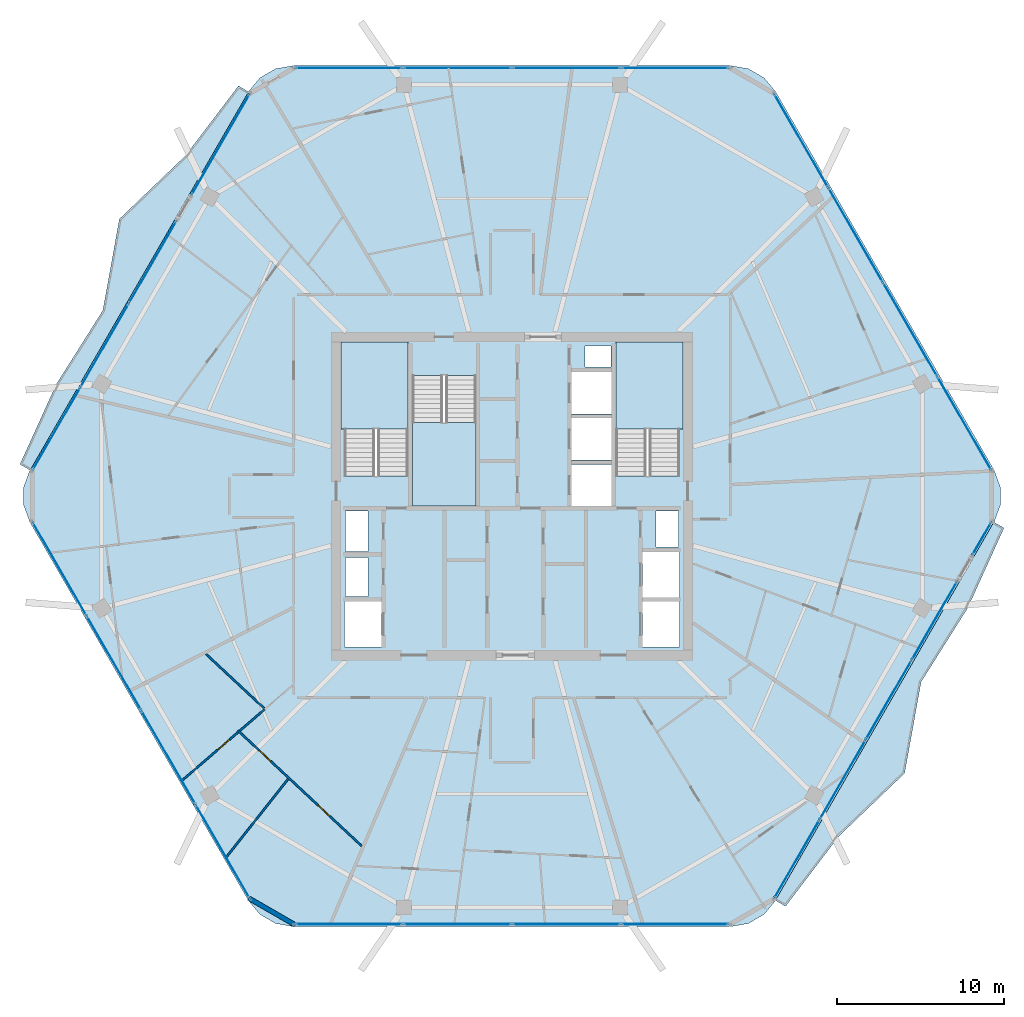
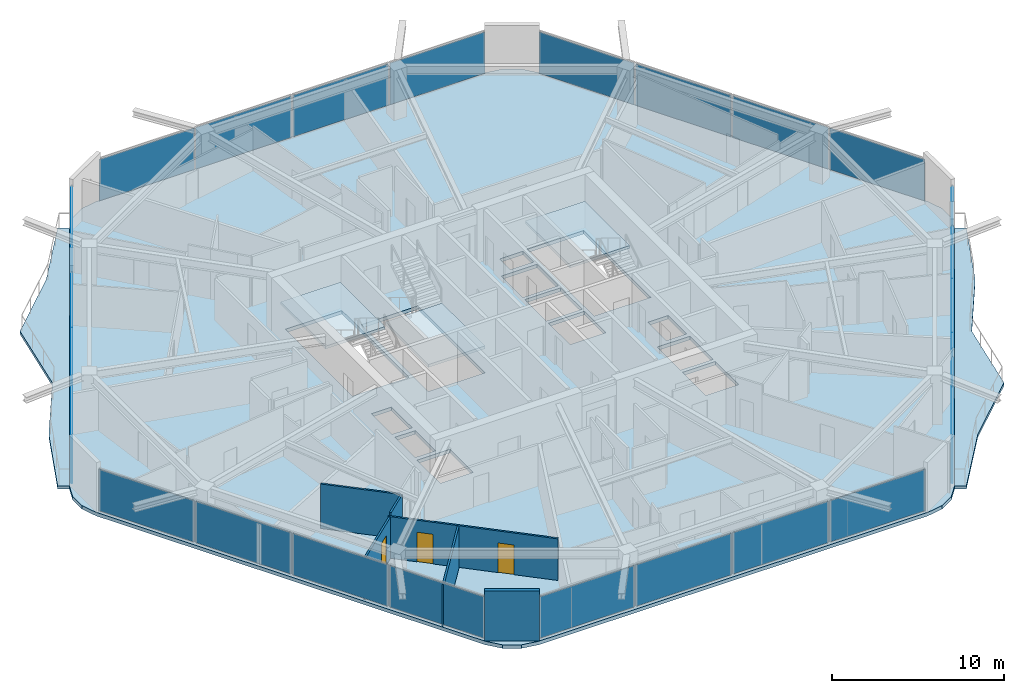
# One storey, part 17 of 25: 25 plates, 6 slabs, 6 walls, 3 doors, 3 openings, 11 elements without a shape of their own.
"""IFC4 building model written with IfcOpenShell, lengths in metres."""

from ifc_helpers import new_model, si_unit, direction, frame, frame_2d, origin, origin_2d, place, context, subcontext, project, spatial, polyline, rectangle, outline, extrude, material, layer, layer_set, type_object, element, fill, aggregate, save


model = new_model("IFC4")

# Units and contexts
model_context = context("Model", 3, precision=1e-05, world=origin(), true_north=direction((0.0, 1.0)))
body_context = subcontext(model_context, "Body", "Model", "MODEL_VIEW")
ifc_project = project(units=[si_unit("LENGTHUNIT", "METRE"), si_unit("AREAUNIT", "SQUARE_METRE"), si_unit("VOLUMEUNIT", "CUBIC_METRE"), si_unit("PLANEANGLEUNIT", "RADIAN"), si_unit("MASSUNIT", "GRAM", prefix="KILO")], contexts=[model_context])

# Site, building, storey
site_placement = place(None, origin())
site = spatial("IfcSite", under=ifc_project, at=site_placement, CompositionType="ELEMENT")
building_placement = place(site_placement, origin())
building = spatial("IfcBuilding", under=site, at=building_placement, Name="Zuhravey Tower", CompositionType="ELEMENT")
storey_placement = place(building_placement, frame((0.0, 0.0, 257.800048828125)))
storey = spatial("IfcBuildingStorey", under=building, at=storey_placement, Name="L65", CompositionType="ELEMENT", Elevation=257.800048828125)

# Slabs
ifc_material_1 = material(Name="Concrete C50/60", Category="concrete")
ifc_layer_1 = layer(ifc_material_1, 0.25)
ifc_layer_set_1 = layer_set([ifc_layer_1], Name="Concrete C50/60")
slab_type_1 = type_object("IfcSlabType", Name="Residential Acoustic Slab 250", PredefinedType="FLOOR", material=ifc_layer_set_1)
slab_1_placement = place(storey_placement, frame((0.0, 0.0, -0.25)))
element("IfcSlab", 1, at=slab_1_placement, inside=storey, type_object=slab_type_1, Name="L65 Floor Slab FS25", PredefinedType="FLOOR", context=body_context, shape_type="SweptSolid", body=[
    extrude(outline(polyline([(64.78515625, 30.449951171875), (65.1533203125, 31.461669921875), (65.1533203125, 32.538330078125), (64.78515625, 33.550048828125), (51.73486328125, 56.153564453125), (51.04296875, 56.978515625), (50.110595703125, 57.5166015625), (49.05029296875, 57.70361328125), (22.94970703125, 57.70361328125), (21.889404296875, 57.5166015625), (20.95703125, 56.978515625), (20.26513671875, 56.153564453125), (7.21484375, 33.550048828125), (6.8466796875, 32.538330078125), (6.8466796875, 31.461669921875), (7.21484375, 30.449951171875), (20.26513671875, 7.846435546875), (20.95703125, 7.021484375), (21.889404296875, 6.4833984375), (22.94970703125, 6.29638671875), (49.05029296875, 6.29638671875), (50.110595703125, 6.4833984375), (51.04296875, 7.021484375), (51.73486328125, 7.846435546875), (64.78515625, 30.449951171875)]), holes=[polyline([(29.800048828125, 33.20068359375), (29.800048828125, 41.0), (26.0, 41.0), (26.0, 33.20068359375), (29.800048828125, 33.20068359375)]), polyline([(46.0, 33.20068359375), (46.0, 41.0), (42.199951171875, 41.0), (42.199951171875, 33.20068359375), (46.0, 33.20068359375)]), polyline([(30.050048828125, 39.199462890625), (30.050048828125, 31.39990234375), (33.85009765625, 31.39990234375), (33.85009765625, 39.199462890625), (30.050048828125, 39.199462890625)]), polyline([(39.550048828125, 31.39990234375), (41.949951171875, 31.39990234375), (41.949951171875, 33.89990234375), (39.550048828125, 33.89990234375), (39.550048828125, 31.39990234375)]), polyline([(39.550048828125, 34.14990234375), (41.949951171875, 34.14990234375), (41.949951171875, 36.64990234375), (39.550048828125, 36.64990234375), (39.550048828125, 34.14990234375)]), polyline([(39.550048828125, 36.89990234375), (41.949951171875, 36.89990234375), (41.949951171875, 39.39990234375), (39.550048828125, 39.39990234375), (39.550048828125, 36.89990234375)]), polyline([(26.0, 23.0), (28.199951171875, 23.0), (28.199951171875, 25.699951171875), (26.0, 25.699951171875), (26.0, 23.0)]), polyline([(43.800048828125, 23.0), (46.0, 23.0), (46.0, 25.699951171875), (43.800048828125, 25.699951171875), (43.800048828125, 23.0)]), polyline([(43.800048828125, 25.949951171875), (46.0, 25.949951171875), (46.0, 28.64990234375), (43.800048828125, 28.64990234375), (43.800048828125, 25.949951171875)]), polyline([(26.050048828125, 26.0), (27.39990234375, 26.0), (27.39990234375, 28.35009765625), (26.050048828125, 28.35009765625), (26.050048828125, 26.0)]), polyline([(26.050048828125, 28.699951171875), (27.39990234375, 28.699951171875), (27.39990234375, 31.10009765625), (26.050048828125, 31.10009765625), (26.050048828125, 28.699951171875)]), polyline([(44.60009765625, 28.949951171875), (45.949951171875, 28.949951171875), (45.949951171875, 31.10009765625), (44.60009765625, 31.10009765625), (44.60009765625, 28.949951171875)]), polyline([(40.35009765625, 39.699951171875), (41.89990234375, 39.699951171875), (41.89990234375, 40.949951171875), (40.35009765625, 40.949951171875), (40.35009765625, 39.699951171875)])]), origin(), (0.0, 0.0, 1.0), 0.25),
])
ifc_material_2 = material(Name="Concrete C40/50", Category="concrete")
ifc_layer_2 = layer(ifc_material_2, 0.219970703125)
ifc_layer_set_2 = layer_set([ifc_layer_2], Name="Concrete C40/50")
slab_type_2 = type_object("IfcSlabType", Name="Sinusoidal Residential Wave Balcony 220", PredefinedType="FLOOR", material=ifc_layer_set_2)
slab_2_placement = place(storey_placement, frame((0.0, 0.0, -0.219970703125)))
element("IfcSlab", 2, at=slab_2_placement, inside=storey, type_object=slab_type_2, Name="L65 Face 6 Wave Balcony WB22", PredefinedType="FLOOR", context=body_context, shape_type="SweptSolid", body=[
    extrude(outline(polyline([(51.726318359375, 7.861328125), (64.767822265625, 30.449951171875), (65.3740234375, 30.10009765625), (63.208984375, 25.326416015625), (60.424072265625, 20.91064453125), (59.439697265625, 15.455322265625), (55.5146484375, 11.69775390625), (52.33251953125, 7.511474609375), (51.726318359375, 7.861328125)])), origin(), (0.0, 0.0, 1.0), 0.219970703125),
])
slab_3_placement = place(storey_placement, frame((0.0, 0.0, -0.219970703125)))
element("IfcSlab", 3, at=slab_3_placement, inside=storey, type_object=slab_type_2, Name="L65 Face 3 Wave Balcony WB22", PredefinedType="FLOOR", context=body_context, shape_type="SweptSolid", body=[
    extrude(outline(polyline([(20.273681640625, 56.138671875), (7.232177734375, 33.550048828125), (6.6259765625, 33.89990234375), (8.791015625, 38.673583984375), (11.575927734375, 43.08935546875), (12.560302734375, 48.544677734375), (16.4853515625, 52.30224609375), (19.66748046875, 56.488525390625), (20.273681640625, 56.138671875)])), origin(), (0.0, 0.0, 1.0), 0.219970703125),
])

# Stair, slab
stair_type = type_object("IfcStairType", Name="Housing Storey Stair Assembly 3800", PredefinedType="HALF_TURN_STAIR", material=ifc_material_2)
stair_1_placement = place(storey_placement, origin())
stair_1 = element("IfcStair", 4, at=stair_1_placement, inside=storey, type_object=stair_type, Name="L65 Core Exit Stair ST1", PredefinedType="HALF_TURN_STAIR")
ifc_layer_3 = layer(ifc_material_2, 0.199951171875)
ifc_layer_set_3 = layer_set([ifc_layer_3], Name="Concrete C40/50")
slab_type_3 = type_object("IfcSlabType", Name="Stair Landing Slab 200", PredefinedType="LANDING", material=ifc_layer_set_3)
slab_4_placement = place(storey_placement, frame((0.0, 0.0, 1.699951171875)))
slab_4 = element("IfcSlab", 5, at=slab_4_placement, type_object=slab_type_3, Name="ST1 landing 1", PredefinedType="LANDING", context=body_context, shape_type="SweptSolid", body=[
    extrude(outline(polyline([(29.800048828125, 36.0), (29.800048828125, 41.197998046875), (25.802001953125, 41.197998046875), (25.802001953125, 36.0), (29.800048828125, 36.0)])), origin(), (0.0, 0.0, 1.0), 0.199951171875),
])
aggregate(stair_1, [slab_4])

stair_2_placement = place(storey_placement, origin())
stair_2 = element("IfcStair", 6, at=stair_2_placement, inside=storey, type_object=stair_type, Name="L65 Core Exit Stair ST2", PredefinedType="HALF_TURN_STAIR")
slab_5_placement = place(storey_placement, frame((0.0, 0.0, 1.699951171875)))
slab_5 = element("IfcSlab", 7, at=slab_5_placement, type_object=slab_type_3, Name="ST2 landing 1", PredefinedType="LANDING", context=body_context, shape_type="SweptSolid", body=[
    extrude(outline(polyline([(46.197998046875, 36.0), (46.197998046875, 41.197998046875), (42.199951171875, 41.197998046875), (42.199951171875, 36.0), (46.197998046875, 36.0)])), origin(), (0.0, 0.0, 1.0), 0.199951171875),
])
aggregate(stair_2, [slab_5])

stair_3_placement = place(storey_placement, origin())
stair_3 = element("IfcStair", 8, at=stair_3_placement, inside=storey, type_object=stair_type, Name="L65 Core Exit Stair ST3", PredefinedType="HALF_TURN_STAIR")
slab_6_placement = place(storey_placement, frame((0.0, 0.0, 1.699951171875)))
slab_6 = element("IfcSlab", 9, at=slab_6_placement, type_object=slab_type_3, Name="ST3 landing 1", PredefinedType="LANDING", context=body_context, shape_type="SweptSolid", body=[
    extrude(outline(polyline([(30.050048828125, 36.39990234375), (30.050048828125, 31.39990234375), (33.85009765625, 31.39990234375), (33.85009765625, 36.39990234375), (30.050048828125, 36.39990234375)])), origin(), (0.0, 0.0, 1.0), 0.199951171875),
])
aggregate(stair_3, [slab_6])

# Curtain wall, plate
ifc_material_3 = material(Name="Thermally broken anodised aluminium", Category="aluminium")
curtain_wall_type = type_object("IfcCurtainWallType", Name="Zone 3-4 High-Rise Curtain Wall CW4", PredefinedType="NOTDEFINED", material=ifc_material_3)
curtain_wall_1_placement = place(storey_placement, origin())
curtain_wall_1 = element("IfcCurtainWall", 10, at=curtain_wall_1_placement, inside=storey, type_object=curtain_wall_type, Name="L65 CW4 CW-L65-F6-1", PredefinedType="NOTDEFINED")
ifc_material_4 = material(Name="Triple low-E insulated vision glass", Category="glass")
ifc_layer_4 = layer(ifc_material_4, 0.0419921875)
ifc_layer_set_4 = layer_set([ifc_layer_4], Name="Triple low-E insulated vision glass")
plate_type = type_object("IfcPlateType", Name="Triple Low-E Vision Panel", PredefinedType="CURTAIN_PANEL", material=ifc_layer_set_4)
plate_1_placement = place(storey_placement, frame((64.053466796875, 29.462646484375, 0.090087890625), z_axis=(0.0, 0.0, 1.0), x_axis=(-0.499996731061, -0.866027291099, 0.0)))
plate_1 = element("IfcPlate", 11, at=plate_1_placement, type_object=plate_type, Name="CW4 panel 1.1", PredefinedType="CURTAIN_PANEL", context=body_context, shape_type="SweptSolid", body=[
    extrude(rectangle(XDim=2.18701171875, YDim=0.0419921875, at=origin_2d()), origin(), (0.0, 0.0, 1.0), 2.94189453125),
])
aggregate(curtain_wall_1, [plate_1])

# Curtain wall, plates
curtain_wall_2_placement = place(storey_placement, origin())
curtain_wall_2 = element("IfcCurtainWall", 12, at=curtain_wall_2_placement, inside=storey, type_object=curtain_wall_type, Name="L65 CW4 CW-L65-F6-2", PredefinedType="NOTDEFINED")
plate_2_placement = place(storey_placement, frame((61.22802734375, 24.56884765625, 0.090087890625), z_axis=(0.0, 0.0, 1.0), x_axis=(-0.500000635495, -0.866025036881, 0.0)))
plate_2 = element("IfcPlate", 13, at=plate_2_placement, type_object=plate_type, Name="CW4 panel 1.1", PredefinedType="CURTAIN_PANEL", context=body_context, shape_type="SweptSolid", body=[
    extrude(rectangle(XDim=5.3544921875, YDim=0.0419921875, at=origin_2d()), origin(), (0.0, 0.0, 1.0), 2.94189453125),
])
plate_3_placement = place(storey_placement, frame((58.494384765625, 19.834228515625, 0.090087890625), z_axis=(0.0, 0.0, 1.0), x_axis=(-0.500000635495, -0.866025036881, 0.0)))
plate_3 = element("IfcPlate", 14, at=plate_3_placement, type_object=plate_type, Name="CW4 panel 2.1", PredefinedType="CURTAIN_PANEL", context=body_context, shape_type="SweptSolid", body=[
    extrude(rectangle(XDim=5.399658203125, YDim=0.0419921875, at=origin_2d()), origin(), (0.0, 0.0, 1.0), 2.94189453125),
])
plate_4_placement = place(storey_placement, frame((55.74951171875, 15.080078125, 0.090087890625), z_axis=(0.0, 0.0, 1.0), x_axis=(-0.500000635495, -0.866025036881, 0.0)))
plate_4 = element("IfcPlate", 15, at=plate_4_placement, type_object=plate_type, Name="CW4 panel 3.1", PredefinedType="CURTAIN_PANEL", context=body_context, shape_type="SweptSolid", body=[
    extrude(rectangle(XDim=5.399658203125, YDim=0.0419921875, at=origin_2d()), origin(), (0.0, 0.0, 1.0), 2.94189453125),
])
plate_5_placement = place(storey_placement, frame((53.01611328125, 10.345458984375, 0.090087890625), z_axis=(0.0, 0.0, 1.0), x_axis=(-0.500000635495, -0.866025036881, 0.0)))
plate_5 = element("IfcPlate", 16, at=plate_5_placement, type_object=plate_type, Name="CW4 panel 4.1", PredefinedType="CURTAIN_PANEL", context=body_context, shape_type="SweptSolid", body=[
    extrude(rectangle(XDim=5.3544921875, YDim=0.0419921875, at=origin_2d()), origin(), (0.0, 0.0, 1.0), 2.94189453125),
])
aggregate(curtain_wall_2, [plate_2, plate_3, plate_4, plate_5])

curtain_wall_3_placement = place(storey_placement, origin())
curtain_wall_3 = element("IfcCurtainWall", 17, at=curtain_wall_3_placement, inside=storey, type_object=curtain_wall_type, Name="L65 CW4 CW-L65-F5-1", PredefinedType="NOTDEFINED")
plate_6_placement = place(storey_placement, frame((45.737060546875, 6.436279296875, 0.090087890625), z_axis=(0.0, 0.0, 1.0), x_axis=(-1.0, 0.0, 0.0)))
plate_6 = element("IfcPlate", 18, at=plate_6_placement, type_object=plate_type, Name="CW4 panel 1.1", PredefinedType="CURTAIN_PANEL", context=body_context, shape_type="SweptSolid", body=[
    extrude(rectangle(XDim=6.371337890625, YDim=0.0419921875, at=origin_2d()), origin(), (0.0, 0.0, 1.0), 2.94189453125),
])
plate_7_placement = place(storey_placement, frame((39.253173828125, 6.436279296875, 0.090087890625), z_axis=(0.0, 0.0, 1.0), x_axis=(-1.0, 0.0, 0.0)))
plate_7 = element("IfcPlate", 19, at=plate_7_placement, type_object=plate_type, Name="CW4 panel 2.1", PredefinedType="CURTAIN_PANEL", context=body_context, shape_type="SweptSolid", body=[
    extrude(rectangle(XDim=6.416259765625, YDim=0.0419921875, at=origin_2d()), origin(), (0.0, 0.0, 1.0), 2.94189453125),
])
plate_8_placement = place(storey_placement, frame((32.746826171875, 6.436279296875, 0.090087890625), z_axis=(0.0, 0.0, 1.0), x_axis=(-1.0, 0.0, 0.0)))
plate_8 = element("IfcPlate", 20, at=plate_8_placement, type_object=plate_type, Name="CW4 panel 3.1", PredefinedType="CURTAIN_PANEL", context=body_context, shape_type="SweptSolid", body=[
    extrude(rectangle(XDim=6.416259765625, YDim=0.0419921875, at=origin_2d()), origin(), (0.0, 0.0, 1.0), 2.94189453125),
])
plate_9_placement = place(storey_placement, frame((26.262939453125, 6.436279296875, 0.090087890625), z_axis=(0.0, 0.0, 1.0), x_axis=(-1.0, 0.0, 0.0)))
plate_9 = element("IfcPlate", 21, at=plate_9_placement, type_object=plate_type, Name="CW4 panel 4.1", PredefinedType="CURTAIN_PANEL", context=body_context, shape_type="SweptSolid", body=[
    extrude(rectangle(XDim=6.371337890625, YDim=0.0419921875, at=origin_2d()), origin(), (0.0, 0.0, 1.0), 2.94189453125),
])
aggregate(curtain_wall_3, [plate_6, plate_7, plate_8, plate_9])

curtain_wall_4_placement = place(storey_placement, origin())
curtain_wall_4 = element("IfcCurtainWall", 22, at=curtain_wall_4_placement, inside=storey, type_object=curtain_wall_type, Name="L65 CW4 CW-L65-F4-1", PredefinedType="NOTDEFINED")
plate_10_placement = place(storey_placement, frame((18.729736328125, 10.78564453125, 0.090087890625), z_axis=(0.0, 0.0, 1.0), x_axis=(-0.500000957414, 0.866024851021, 0.0)))
plate_10 = element("IfcPlate", 23, at=plate_10_placement, type_object=plate_type, Name="CW4 panel 1.1", PredefinedType="CURTAIN_PANEL", context=body_context, shape_type="SweptSolid", body=[
    extrude(rectangle(XDim=6.371337890625, YDim=0.0419921875, at=origin_2d()), origin(), (0.0, 0.0, 1.0), 2.94189453125),
])
plate_11_placement = place(storey_placement, frame((15.48779296875, 16.40087890625, 0.090087890625), z_axis=(0.0, 0.0, 1.0), x_axis=(-0.500000957414, 0.866024851021, 0.0)))
plate_11 = element("IfcPlate", 24, at=plate_11_placement, type_object=plate_type, Name="CW4 panel 2.1", PredefinedType="CURTAIN_PANEL", context=body_context, shape_type="SweptSolid", body=[
    extrude(rectangle(XDim=6.416259765625, YDim=0.0419921875, at=origin_2d()), origin(), (0.0, 0.0, 1.0), 2.94189453125),
])
plate_12_placement = place(storey_placement, frame((12.234619140625, 22.03564453125, 0.090087890625), z_axis=(0.0, 0.0, 1.0), x_axis=(-0.500000957414, 0.866024851021, 0.0)))
plate_12 = element("IfcPlate", 25, at=plate_12_placement, type_object=plate_type, Name="CW4 panel 3.1", PredefinedType="CURTAIN_PANEL", context=body_context, shape_type="SweptSolid", body=[
    extrude(rectangle(XDim=6.416259765625, YDim=0.0419921875, at=origin_2d()), origin(), (0.0, 0.0, 1.0), 2.94189453125),
])
plate_13_placement = place(storey_placement, frame((8.99267578125, 27.650634765625, 0.090087890625), z_axis=(0.0, 0.0, 1.0), x_axis=(-0.500000957414, 0.866024851021, 0.0)))
plate_13 = element("IfcPlate", 26, at=plate_13_placement, type_object=plate_type, Name="CW4 panel 4.1", PredefinedType="CURTAIN_PANEL", context=body_context, shape_type="SweptSolid", body=[
    extrude(rectangle(XDim=6.371337890625, YDim=0.0419921875, at=origin_2d()), origin(), (0.0, 0.0, 1.0), 2.94189453125),
])
aggregate(curtain_wall_4, [plate_10, plate_11, plate_12, plate_13])

curtain_wall_5_placement = place(storey_placement, origin())
curtain_wall_5 = element("IfcCurtainWall", 27, at=curtain_wall_5_placement, inside=storey, type_object=curtain_wall_type, Name="L65 CW4 CW-L65-F3-1", PredefinedType="NOTDEFINED")
plate_14_placement = place(storey_placement, frame((8.8046875, 36.023681640625, 0.090087890625), z_axis=(0.0, 0.0, 1.0), x_axis=(0.50000309384, 0.866023617548, 0.0)))
plate_14 = element("IfcPlate", 28, at=plate_14_placement, type_object=plate_type, Name="CW4 panel 1.1", PredefinedType="CURTAIN_PANEL", context=body_context, shape_type="SweptSolid", body=[
    extrude(rectangle(XDim=5.619140625, YDim=0.0419921875, at=origin_2d()), origin(), (0.0, 0.0, 1.0), 2.94189453125),
])
plate_15_placement = place(storey_placement, frame((11.670654296875, 40.987548828125, 0.090087890625), z_axis=(0.0, 0.0, 1.0), x_axis=(0.50000309384, 0.866023617548, 0.0)))
plate_15 = element("IfcPlate", 29, at=plate_15_placement, type_object=plate_type, Name="CW4 panel 2.1", PredefinedType="CURTAIN_PANEL", context=body_context, shape_type="SweptSolid", body=[
    extrude(rectangle(XDim=5.664306640625, YDim=0.0419921875, at=origin_2d()), origin(), (0.0, 0.0, 1.0), 2.94189453125),
])
plate_16_placement = place(storey_placement, frame((14.536376953125, 45.951171875, 0.090087890625), z_axis=(0.0, 0.0, 1.0), x_axis=(0.50000309384, 0.866023617548, 0.0)))
plate_16 = element("IfcPlate", 30, at=plate_16_placement, type_object=plate_type, Name="CW4 panel 3.1", PredefinedType="CURTAIN_PANEL", context=body_context, shape_type="SweptSolid", body=[
    extrude(rectangle(XDim=5.619140625, YDim=0.0419921875, at=origin_2d()), origin(), (0.0, 0.0, 1.0), 2.94189453125),
])
aggregate(curtain_wall_5, [plate_14, plate_15, plate_16])

# Curtain wall, plate
curtain_wall_6_placement = place(storey_placement, origin())
curtain_wall_6 = element("IfcCurtainWall", 31, at=curtain_wall_6_placement, inside=storey, type_object=curtain_wall_type, Name="L65 CW4 CW-L65-F3-2", PredefinedType="NOTDEFINED")
plate_17_placement = place(storey_placement, frame((18.60205078125, 52.992919921875, 0.090087890625), z_axis=(0.0, 0.0, 1.0), x_axis=(0.49999944924, 0.866025721766, 0.0)))
plate_17 = element("IfcPlate", 32, at=plate_17_placement, type_object=plate_type, Name="CW4 panel 1.1", PredefinedType="CURTAIN_PANEL", context=body_context, shape_type="SweptSolid", body=[
    extrude(rectangle(XDim=6.882568359375, YDim=0.0419921875, at=origin_2d()), origin(), (0.0, 0.0, 1.0), 2.94189453125),
])
aggregate(curtain_wall_6, [plate_17])

# Curtain wall, plates
curtain_wall_7_placement = place(storey_placement, origin())
curtain_wall_7 = element("IfcCurtainWall", 33, at=curtain_wall_7_placement, inside=storey, type_object=curtain_wall_type, Name="L65 CW4 CW-L65-F2-1", PredefinedType="NOTDEFINED")
plate_18_placement = place(storey_placement, frame((26.262939453125, 57.563720703125, 0.090087890625), z_axis=(0.0, 0.0, 1.0), x_axis=(1.0, 0.0, 0.0)))
plate_18 = element("IfcPlate", 34, at=plate_18_placement, type_object=plate_type, Name="CW4 panel 1.1", PredefinedType="CURTAIN_PANEL", context=body_context, shape_type="SweptSolid", body=[
    extrude(rectangle(XDim=6.371337890625, YDim=0.0419921875, at=origin_2d()), origin(), (0.0, 0.0, 1.0), 2.94189453125),
])
plate_19_placement = place(storey_placement, frame((32.746826171875, 57.563720703125, 0.090087890625), z_axis=(0.0, 0.0, 1.0), x_axis=(1.0, 0.0, 0.0)))
plate_19 = element("IfcPlate", 35, at=plate_19_placement, type_object=plate_type, Name="CW4 panel 2.1", PredefinedType="CURTAIN_PANEL", context=body_context, shape_type="SweptSolid", body=[
    extrude(rectangle(XDim=6.416259765625, YDim=0.0419921875, at=origin_2d()), origin(), (0.0, 0.0, 1.0), 2.94189453125),
])
plate_20_placement = place(storey_placement, frame((39.253173828125, 57.563720703125, 0.090087890625), z_axis=(0.0, 0.0, 1.0), x_axis=(1.0, 0.0, 0.0)))
plate_20 = element("IfcPlate", 36, at=plate_20_placement, type_object=plate_type, Name="CW4 panel 3.1", PredefinedType="CURTAIN_PANEL", context=body_context, shape_type="SweptSolid", body=[
    extrude(rectangle(XDim=6.416259765625, YDim=0.0419921875, at=origin_2d()), origin(), (0.0, 0.0, 1.0), 2.94189453125),
])
plate_21_placement = place(storey_placement, frame((45.737060546875, 57.563720703125, 0.090087890625), z_axis=(0.0, 0.0, 1.0), x_axis=(1.0, 0.0, 0.0)))
plate_21 = element("IfcPlate", 37, at=plate_21_placement, type_object=plate_type, Name="CW4 panel 4.1", PredefinedType="CURTAIN_PANEL", context=body_context, shape_type="SweptSolid", body=[
    extrude(rectangle(XDim=6.371337890625, YDim=0.0419921875, at=origin_2d()), origin(), (0.0, 0.0, 1.0), 2.94189453125),
])
aggregate(curtain_wall_7, [plate_18, plate_19, plate_20, plate_21])

curtain_wall_8_placement = place(storey_placement, origin())
curtain_wall_8 = element("IfcCurtainWall", 38, at=curtain_wall_8_placement, inside=storey, type_object=curtain_wall_type, Name="L65 CW4 CW-L65-F1-1", PredefinedType="NOTDEFINED")
plate_22_placement = place(storey_placement, frame((53.270263671875, 53.21435546875, 0.090087890625), z_axis=(0.0, 0.0, 1.0), x_axis=(0.500000957414, -0.866024851021, 0.0)))
plate_22 = element("IfcPlate", 39, at=plate_22_placement, type_object=plate_type, Name="CW4 panel 1.1", PredefinedType="CURTAIN_PANEL", context=body_context, shape_type="SweptSolid", body=[
    extrude(rectangle(XDim=6.371337890625, YDim=0.0419921875, at=origin_2d()), origin(), (0.0, 0.0, 1.0), 2.94189453125),
])
plate_23_placement = place(storey_placement, frame((56.51220703125, 47.59912109375, 0.090087890625), z_axis=(0.0, 0.0, 1.0), x_axis=(0.500000957414, -0.866024851021, 0.0)))
plate_23 = element("IfcPlate", 40, at=plate_23_placement, type_object=plate_type, Name="CW4 panel 2.1", PredefinedType="CURTAIN_PANEL", context=body_context, shape_type="SweptSolid", body=[
    extrude(rectangle(XDim=6.416259765625, YDim=0.0419921875, at=origin_2d()), origin(), (0.0, 0.0, 1.0), 2.94189453125),
])
plate_24_placement = place(storey_placement, frame((59.765380859375, 41.96435546875, 0.090087890625), z_axis=(0.0, 0.0, 1.0), x_axis=(0.500000957414, -0.866024851021, 0.0)))
plate_24 = element("IfcPlate", 41, at=plate_24_placement, type_object=plate_type, Name="CW4 panel 3.1", PredefinedType="CURTAIN_PANEL", context=body_context, shape_type="SweptSolid", body=[
    extrude(rectangle(XDim=6.416259765625, YDim=0.0419921875, at=origin_2d()), origin(), (0.0, 0.0, 1.0), 2.94189453125),
])
plate_25_placement = place(storey_placement, frame((63.00732421875, 36.349365234375, 0.090087890625), z_axis=(0.0, 0.0, 1.0), x_axis=(0.500000957414, -0.866024851021, 0.0)))
plate_25 = element("IfcPlate", 42, at=plate_25_placement, type_object=plate_type, Name="CW4 panel 4.1", PredefinedType="CURTAIN_PANEL", context=body_context, shape_type="SweptSolid", body=[
    extrude(rectangle(XDim=6.371337890625, YDim=0.0419921875, at=origin_2d()), origin(), (0.0, 0.0, 1.0), 2.94189453125),
])
aggregate(curtain_wall_8, [plate_22, plate_23, plate_24, plate_25])

# Wall
ifc_material_5 = material(Name="Precast concrete C40/50", Category="concrete")
ifc_layer_5 = layer(ifc_material_5, 0.280029296875)
ifc_layer_set_5 = layer_set([ifc_layer_5], Name="Precast concrete C40/50")
wall_type_1 = type_object("IfcWallType", Name="Crown Architectural Wall 280", PredefinedType="SOLIDWALL", material=ifc_layer_set_5)
wall_1_placement = place(storey_placement, frame((23.069580078125, 6.388916015625, 0.0), z_axis=(0.0, 0.0, 1.0), x_axis=(-0.866028773314, 0.499994163758, 0.0)))
element("IfcWall", 43, at=wall_1_placement, inside=storey, type_object=wall_type_1, Name="L65 Rounded Corner Closure Wall EW28-04", PredefinedType="SOLIDWALL", context=body_context, shape_type="SweptSolid", body=[
    extrude(rectangle(XDim=3.21484375, YDim=0.280029296875, at=frame_2d((1.607421875, 0.0))), origin(), (0.0, 0.0, 1.0), 3.550048828125),
])

# Wall, openings, doors
ifc_material_6 = material(Name="Gypsum metal-stud partition")
ifc_layer_6 = layer(ifc_material_6, 0.1201171875)
ifc_layer_set_6 = layer_set([ifc_layer_6], Name="Gypsum metal-stud partition")
wall_type_2 = type_object("IfcWallType", Name="Unit Internal Partition 120", PredefinedType="PARTITIONING", material=ifc_layer_set_6)
wall_2_placement = place(storey_placement, frame((19.623291015625, 18.01611328125, 0.0), z_axis=(0.0, 0.0, 1.0), x_axis=(0.731336709618, -0.682016581298, 0.0)))
wall_2 = element("IfcWall", 44, at=wall_2_placement, inside=storey, type_object=wall_type_2, Name="L65 IW12 Partition 031", PredefinedType="PARTITIONING", context=body_context, shape_type="SweptSolid", body=[
    extrude(rectangle(XDim=10.123046875, YDim=0.1201171875, at=frame_2d((5.0615234375, 0.0))), origin(), (0.0, 0.0, 1.0), 2.949951171875),
])
opening_1_placement = place(wall_2_placement, frame((1.734619140625, 0.0, 0.0)))
opening_1 = element("IfcOpeningElement", 45, at=opening_1_placement, cuts=wall_2, Name="Opening IND1", PredefinedType="OPENING", context=body_context, shape_type="SweptSolid", body=[
    extrude(rectangle(XDim=0.949951171875, YDim=2.10009765625, at=frame_2d((0.47509765625, 1.050048828125))), frame((0.0, 0.072021484375, 0.0), z_axis=(0.0, -1.0, 0.0), x_axis=(1.0, 0.0, 0.0)), (0.0, 0.0, 1.0), 0.14404296875),
])
opening_2_placement = place(wall_2_placement, frame((6.555908203125, 0.0, 0.0)))
opening_2 = element("IfcOpeningElement", 46, at=opening_2_placement, cuts=wall_2, Name="Opening IND1", PredefinedType="OPENING", context=body_context, shape_type="SweptSolid", body=[
    extrude(rectangle(XDim=0.949951171875, YDim=2.10009765625, at=frame_2d((0.47509765625, 1.050048828125))), frame((0.0, 0.072021484375, 0.0), z_axis=(0.0, -1.0, 0.0), x_axis=(1.0, 0.0, 0.0)), (0.0, 0.0, 1.0), 0.14404296875),
])
ifc_material_7 = material(Name="Painted engineered timber leaf", Category="wood")
door_type = type_object("IfcDoorType", Name="Internal Room & Bedroom Door 950x2100", OperationType="NOTDEFINED", PredefinedType="DOOR", material=ifc_material_7)
door_1_placement = place(opening_1_placement, frame((0.949951171875, 0.0, 0.0), z_axis=(0.0, 0.0, 1.0), x_axis=(-1.0, 0.0, 0.0)))
door_1 = element("IfcDoor", 47, at=door_1_placement, inside=storey, type_object=door_type, Name="Apartment L65-03 Family Study Door", OperationType="SINGLE_SWING_LEFT", OverallHeight=2.10009765625, OverallWidth=0.949951171875, PredefinedType="DOOR", context=body_context, shape_type="SweptSolid", body=[
    extrude(rectangle(XDim=0.949951171875, YDim=2.10009765625, at=frame_2d((0.47509765625, 1.050048828125))), frame((0.0, 0.02490234375, 0.0), z_axis=(0.0, -1.0, 0.0), x_axis=(1.0, 0.0, 0.0)), (0.0, 0.0, 1.0), 0.050048828125),
])
fill(opening_1, door_1)
door_2_placement = place(opening_2_placement, frame((0.949951171875, 0.0, 0.0), z_axis=(0.0, 0.0, 1.0), x_axis=(-1.0, 0.0, 0.0)))
door_2 = element("IfcDoor", 48, at=door_2_placement, inside=storey, type_object=door_type, Name="Apartment L65-03 Dining Room Door", OperationType="SINGLE_SWING_RIGHT", OverallHeight=2.10009765625, OverallWidth=0.949951171875, PredefinedType="DOOR", context=body_context, shape_type="SweptSolid", body=[
    extrude(rectangle(XDim=0.949951171875, YDim=2.10009765625, at=frame_2d((0.47509765625, 1.050048828125))), frame((0.0, 0.02490234375, 0.0), z_axis=(0.0, -1.0, 0.0), x_axis=(1.0, 0.0, 0.0)), (0.0, 0.0, 1.0), 0.050048828125),
])
fill(opening_2, door_2)

# Wall
wall_3_placement = place(storey_placement, frame((21.232666015625, 19.271240234375, 0.0), z_axis=(0.0, 0.0, 1.0), x_axis=(-0.757388710943, -0.652964272021, 0.0)))
element("IfcWall", 49, at=wall_3_placement, inside=storey, type_object=wall_type_2, Name="L65 IW12 Partition 033", PredefinedType="PARTITIONING", context=body_context, shape_type="SweptSolid", body=[
    extrude(rectangle(XDim=1.959228515625, YDim=0.1201171875, at=frame_2d((0.9794921875, 0.0))), origin(), (0.0, 0.0, 1.0), 3.14990234375),
])

# Wall, opening, door
wall_4_placement = place(storey_placement, frame((19.64501953125, 17.902587890625, 0.0), z_axis=(0.0, 0.0, 1.0), x_axis=(-0.757457852789, -0.652884064171, 0.0)))
wall_4 = element("IfcWall", 50, at=wall_4_placement, inside=storey, type_object=wall_type_2, Name="L65 IW12 Partition 034", PredefinedType="PARTITIONING", context=body_context, shape_type="SweptSolid", body=[
    extrude(rectangle(XDim=4.433349609375, YDim=0.1201171875, at=frame_2d((2.216796875, 0.0))), origin(), (0.0, 0.0, 1.0), 2.929931640625),
])
opening_3_placement = place(wall_4_placement, frame((0.668701171875, 0.0, 0.0)))
opening_3 = element("IfcOpeningElement", 51, at=opening_3_placement, cuts=wall_4, Name="Opening IND1", PredefinedType="OPENING", context=body_context, shape_type="SweptSolid", body=[
    extrude(rectangle(XDim=0.949951171875, YDim=2.10009765625, at=frame_2d((0.47509765625, 1.050048828125))), frame((0.0, 0.072021484375, 0.0), z_axis=(0.0, -1.0, 0.0), x_axis=(1.0, 0.0, 0.0)), (0.0, 0.0, 1.0), 0.14404296875),
])
door_3_placement = place(opening_3_placement, frame((0.949951171875, 0.0, 0.0), z_axis=(0.0, 0.0, 1.0), x_axis=(-1.0, 0.0, 0.0)))
door_3 = element("IfcDoor", 52, at=door_3_placement, inside=storey, type_object=door_type, Name="Apartment L65-03 Bedroom 1 Door", OperationType="SINGLE_SWING_RIGHT", OverallHeight=2.10009765625, OverallWidth=0.949951171875, PredefinedType="DOOR", context=body_context, shape_type="SweptSolid", body=[
    extrude(rectangle(XDim=0.949951171875, YDim=2.10009765625, at=frame_2d((0.47509765625, 1.050048828125))), frame((0.0, 0.02490234375, 0.0), z_axis=(0.0, -1.0, 0.0), x_axis=(1.0, 0.0, 0.0)), (0.0, 0.0, 1.0), 0.050048828125),
])
fill(opening_3, door_3)

# Walls
wall_5_placement = place(storey_placement, frame((22.636962890625, 15.112548828125, 0.0), z_axis=(0.0, 0.0, 1.0), x_axis=(-0.62053305621, -0.784180289315, 0.0)))
element("IfcWall", 53, at=wall_5_placement, inside=storey, type_object=wall_type_2, Name="L65 IW12 Partition 076", PredefinedType="PARTITIONING", context=body_context, shape_type="SweptSolid", body=[
    extrude(rectangle(XDim=6.000244140625, YDim=0.1201171875, at=frame_2d((3.0, 0.0))), origin(), (0.0, 0.0, 1.0), 2.929931640625),
])
wall_6_placement = place(storey_placement, frame((17.7314453125, 22.5703125, 0.0), z_axis=(0.0, 0.0, 1.0), x_axis=(0.731347784436, -0.68200470541, 0.0)))
element("IfcWall", 54, at=wall_6_placement, inside=storey, type_object=wall_type_2, Name="L65 IW12 Partition 078", PredefinedType="PARTITIONING", context=body_context, shape_type="SweptSolid", body=[
    extrude(rectangle(XDim=4.744873046875, YDim=0.1201171875, at=frame_2d((2.37255859375, 0.0))), origin(), (0.0, 0.0, 1.0), 3.14990234375),
])

save(model, "model.ifc")
